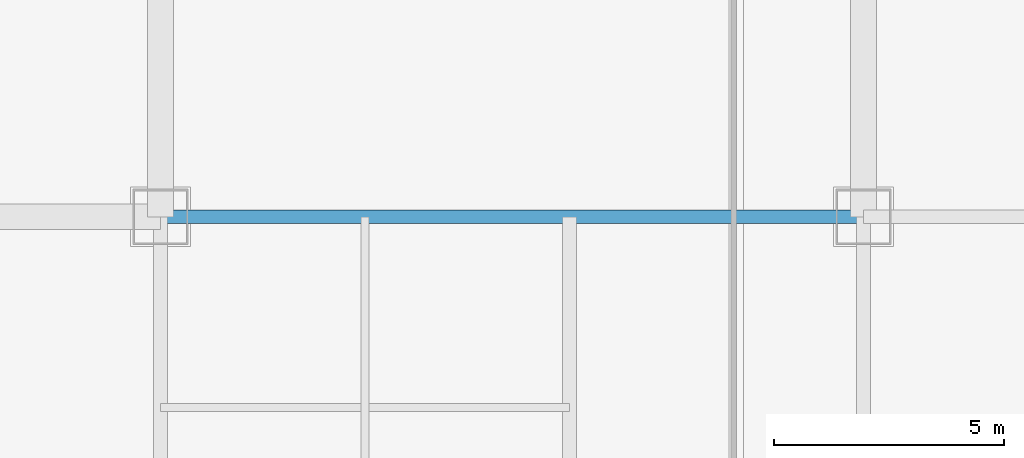
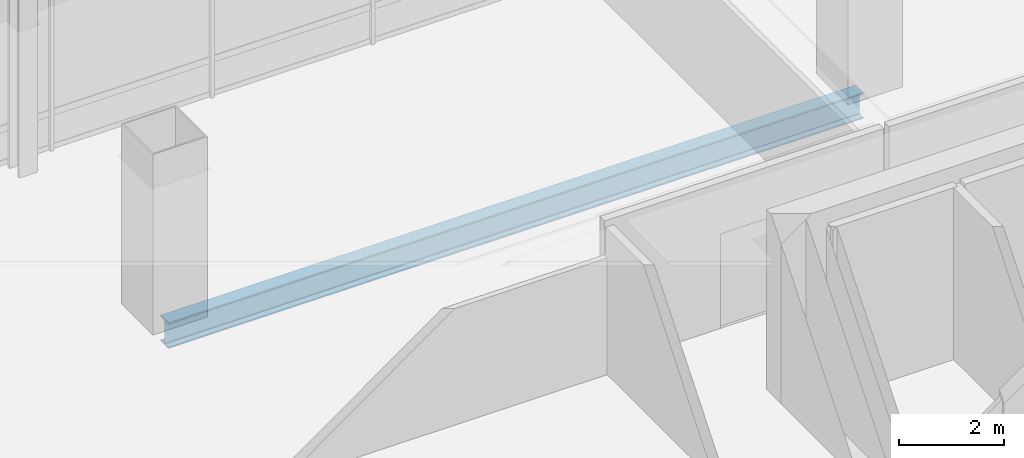
# One storey, part 22 of 41: 1 beam.
"""IFC4 building model written with IfcOpenShell, lengths in metres."""

from ifc_helpers import new_model, si_unit, direction, frame, origin, origin_2d, place, context, subcontext, project, spatial, i_section, extrude, material, material_profile, profile_set, type_object, element, save


model = new_model("IFC4")

# Units and contexts
model_context = context("Model", 3, precision=1e-05, world=origin(), true_north=direction((0.0, 1.0)))
body_context = subcontext(model_context, "Body", "Model", "MODEL_VIEW")
ifc_project = project(units=[si_unit("LENGTHUNIT", "METRE"), si_unit("AREAUNIT", "SQUARE_METRE"), si_unit("VOLUMEUNIT", "CUBIC_METRE"), si_unit("PLANEANGLEUNIT", "RADIAN"), si_unit("MASSUNIT", "GRAM", prefix="KILO")], contexts=[model_context])

# Site, building, storey
site_placement = place(None, origin())
site = spatial("IfcSite", under=ifc_project, at=site_placement, CompositionType="ELEMENT")
building_placement = place(site_placement, origin())
building = spatial("IfcBuilding", under=site, at=building_placement, Name="Punatoya Terracotta Tower", CompositionType="ELEMENT")
storey_placement = place(building_placement, frame((0.0, 0.0, 288.0)))
storey = spatial("IfcBuildingStorey", under=building, at=storey_placement, Name="L68", CompositionType="ELEMENT", Elevation=288.0)

# Beam
ifc_material = material(Name="Steel S355", Category="steel")
ifc_material_profile = material_profile(ifc_material, i_section(OverallWidth=0.300048828125, OverallDepth=0.60009765625, WebThickness=0.015380859375, FlangeThickness=0.030029296875, FilletRadius=0.01806640625, at=origin_2d()))
ifc_profile_set = profile_set([ifc_material_profile], Name="Steel S355")
beam_type = type_object("IfcBeamType", Name="BM-PRI-600", PredefinedType="BEAM", material=ifc_profile_set)
beam_placement = place(storey_placement, frame((-19.10009765625, 17.5, -0.5), z_axis=(1.0, 0.0, 0.0), x_axis=(0.0, 1.0, 0.0)))
element("IfcBeam", 1, at=beam_placement, inside=storey, type_object=beam_type, Name="BM-L68-RG-N1", PredefinedType="BEAM", context=body_context, shape_type="SweptSolid", body=[
    extrude(i_section(OverallWidth=0.300048828125, OverallDepth=0.60009765625, WebThickness=0.015380859375, FlangeThickness=0.030029296875, FilletRadius=0.01806640625, at=origin_2d()), origin(), (0.0, 0.0, 1.0), 15.300048828125),
])

save(model, "model.ifc")
